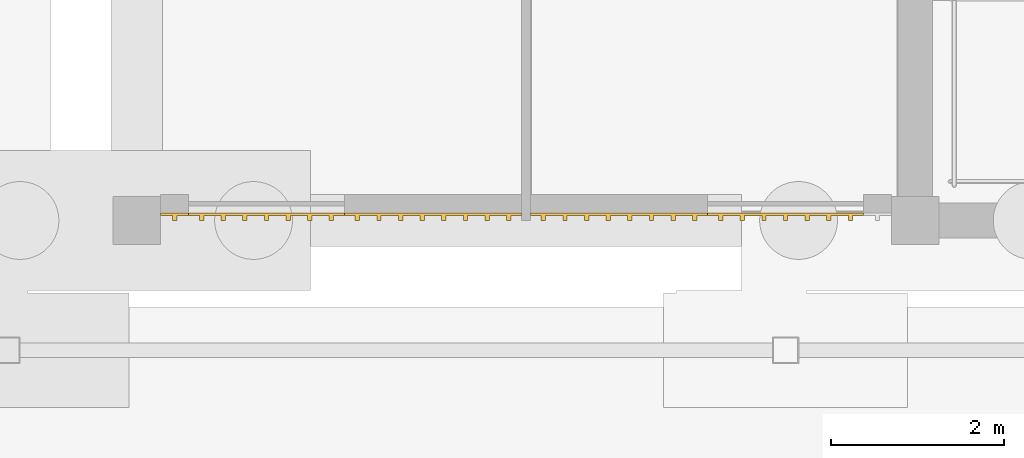
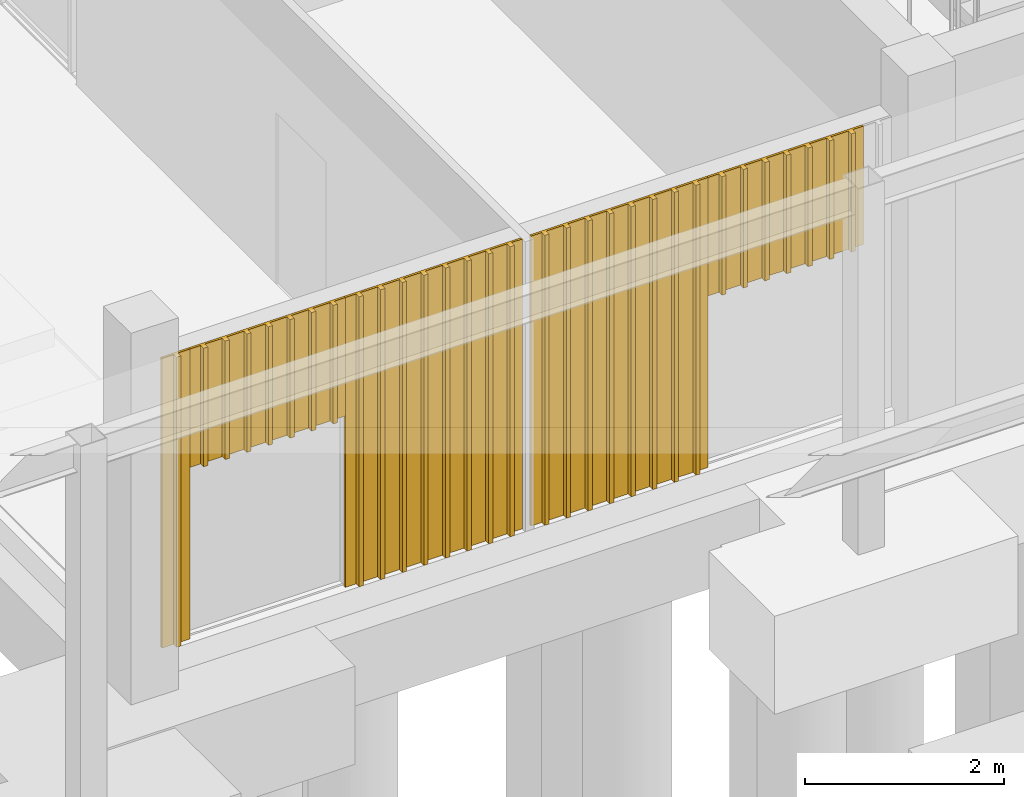
# One storey, part 89 of 106: 5 coverings.
"""IFC4 building model written with IfcOpenShell, lengths in metres."""

from ifc_helpers import new_model, si_unit, direction, frame, origin, place, context, subcontext, project, spatial, polyline, outline, extrude, source, transform, mapped, material, layer, layer_set, type_object, element, save


model = new_model("IFC4")

# Units and contexts
model_context = context("Model", 3, precision=1e-05, world=origin(), true_north=direction((0.0, 1.0)))
body_context = subcontext(model_context, "Body", "Model", "MODEL_VIEW")
ifc_project = project(units=[si_unit("LENGTHUNIT", "METRE"), si_unit("AREAUNIT", "SQUARE_METRE"), si_unit("VOLUMEUNIT", "CUBIC_METRE"), si_unit("PLANEANGLEUNIT", "RADIAN"), si_unit("MASSUNIT", "GRAM", prefix="KILO")], contexts=[model_context])

# Site, building, storey
site_placement = place(None, origin())
site = spatial("IfcSite", under=ifc_project, at=site_placement, CompositionType="ELEMENT")
building_placement = place(site_placement, origin())
building = spatial("IfcBuilding", under=site, at=building_placement, Name="Merrow Basin Faculty of Sciences", CompositionType="ELEMENT")
storey_placement = place(building_placement, origin())
storey = spatial("IfcBuildingStorey", under=building, at=storey_placement, Name="L00", CompositionType="ELEMENT", Elevation=0.0)

# Coverings
ifc_material = material(Name="Larch timber", Category="wood")
ifc_layer = layer(ifc_material, 0.0849609375)
ifc_layer_set = layer_set([ifc_layer], Name="Larch batten cladding 85")
covering_type = type_object("IfcCoveringType", Name="Larch batten cladding 85", PredefinedType="CLADDING", material=ifc_layer_set)
shared_shape_1 = source(origin(), body_context, "Body", "SweptSolid", [
    extrude(outline(polyline([(0.0, 0.0), (1.800048828125, 0.0), (1.800048828125, 0.02490234375), (1.675048828125, 0.02490234375), (1.675048828125, 0.0849609375), (1.625, 0.0849609375), (1.625, 0.02490234375), (1.425048828125, 0.02490234375), (1.425048828125, 0.0849609375), (1.375, 0.0849609375), (1.375, 0.02490234375), (1.175048828125, 0.02490234375), (1.175048828125, 0.0849609375), (1.125, 0.0849609375), (1.125, 0.02490234375), (0.925048828125, 0.02490234375), (0.925048828125, 0.0849609375), (0.875, 0.0849609375), (0.875, 0.02490234375), (0.675048828125, 0.02490234375), (0.675048828125, 0.0849609375), (0.625, 0.0849609375), (0.625, 0.02490234375), (0.425048828125, 0.02490234375), (0.425048828125, 0.0849609375), (0.375, 0.0849609375), (0.375, 0.02490234375), (0.175048828125, 0.02490234375), (0.175048828125, 0.0849609375), (0.125, 0.0849609375), (0.125, 0.02490234375), (0.0, 0.02490234375), (0.0, 0.0)])), origin(), (0.0, 0.0, 1.0), 1.449951171875),
])
for number, where, z_axis, x_axis, name in (
    (1, (56.39990234375, 61.0849609375, 2.10009765625), (0.0, 0.0, 1.0), (-1.0, 0.0, 0.0), "Larch batten cladding"),
    (2, (62.39990234375, 61.0849609375, 2.10009765625), (0.0, 0.0, 1.0), (-1.0, 0.0, 0.0), "Larch batten cladding"),
):
    element("IfcCovering", number, at=place(storey_placement, frame(where, z_axis=z_axis, x_axis=x_axis)), inside=storey, type_object=covering_type, Name=name, PredefinedType="CLADDING", context=body_context, shape_type="MappedRepresentation", body=[
        mapped(shared_shape_1, transform((0.0, 0.0, 0.0), scale=1.0)),
    ])
shared_shape_2 = source(origin(), body_context, "Body", "SweptSolid", [
    extrude(outline(polyline([(0.0, 0.0), (0.324951171875, 0.0), (0.324951171875, 0.02490234375), (0.18701171875, 0.02490234375), (0.18701171875, 0.0849609375), (0.136962890625, 0.0849609375), (0.136962890625, 0.02490234375), (0.0, 0.02490234375), (0.0, 0.0)])), origin(), (0.0, 0.0, 1.0), 3.550048828125),
])
covering_placement = place(storey_placement, frame((54.60009765625, 61.0849609375, 0.0), z_axis=(0.0, 0.0, 1.0), x_axis=(-1.0, 0.0, 0.0)))
element("IfcCovering", 3, at=covering_placement, inside=storey, type_object=covering_type, Name="Larch batten cladding", PredefinedType="CLADDING", context=body_context, shape_type="MappedRepresentation", body=[
    mapped(shared_shape_2, transform((0.0, 0.0, 0.0), scale=1.0)),
])
shared_shape_3 = source(origin(), body_context, "Body", "SweptSolid", [
    extrude(outline(polyline([(0.0, 0.0), (2.050048828125, 0.0), (2.050048828125, 0.02490234375), (1.925048828125, 0.02490234375), (1.925048828125, 0.0849609375), (1.875, 0.0849609375), (1.875, 0.02490234375), (1.675048828125, 0.02490234375), (1.675048828125, 0.0849609375), (1.625, 0.0849609375), (1.625, 0.02490234375), (1.425048828125, 0.02490234375), (1.425048828125, 0.0849609375), (1.375, 0.0849609375), (1.375, 0.02490234375), (1.175048828125, 0.02490234375), (1.175048828125, 0.0849609375), (1.125, 0.0849609375), (1.125, 0.02490234375), (0.925048828125, 0.02490234375), (0.925048828125, 0.0849609375), (0.875, 0.0849609375), (0.875, 0.02490234375), (0.675048828125, 0.02490234375), (0.675048828125, 0.0849609375), (0.625, 0.0849609375), (0.625, 0.02490234375), (0.425048828125, 0.02490234375), (0.425048828125, 0.0849609375), (0.375, 0.0849609375), (0.375, 0.02490234375), (0.175048828125, 0.02490234375), (0.175048828125, 0.0849609375), (0.125, 0.0849609375), (0.125, 0.02490234375), (0.0, 0.02490234375), (0.0, 0.0)])), origin(), (0.0, 0.0, 1.0), 3.550048828125),
])
for number, where, z_axis, x_axis, name in (
    (4, (58.449951171875, 61.0849609375, 0.0), (0.0, 0.0, 1.0), (-1.0, 0.0, 0.0), "Larch batten cladding"),
    (5, (60.60009765625, 61.0849609375, 0.0), (0.0, 0.0, 1.0), (-1.0, 0.0, 0.0), "Larch batten cladding"),
):
    element("IfcCovering", number, at=place(storey_placement, frame(where, z_axis=z_axis, x_axis=x_axis)), inside=storey, type_object=covering_type, Name=name, PredefinedType="CLADDING", context=body_context, shape_type="MappedRepresentation", body=[
        mapped(shared_shape_3, transform((0.0, 0.0, 0.0), scale=1.0)),
    ])

save(model, "model.ifc")
